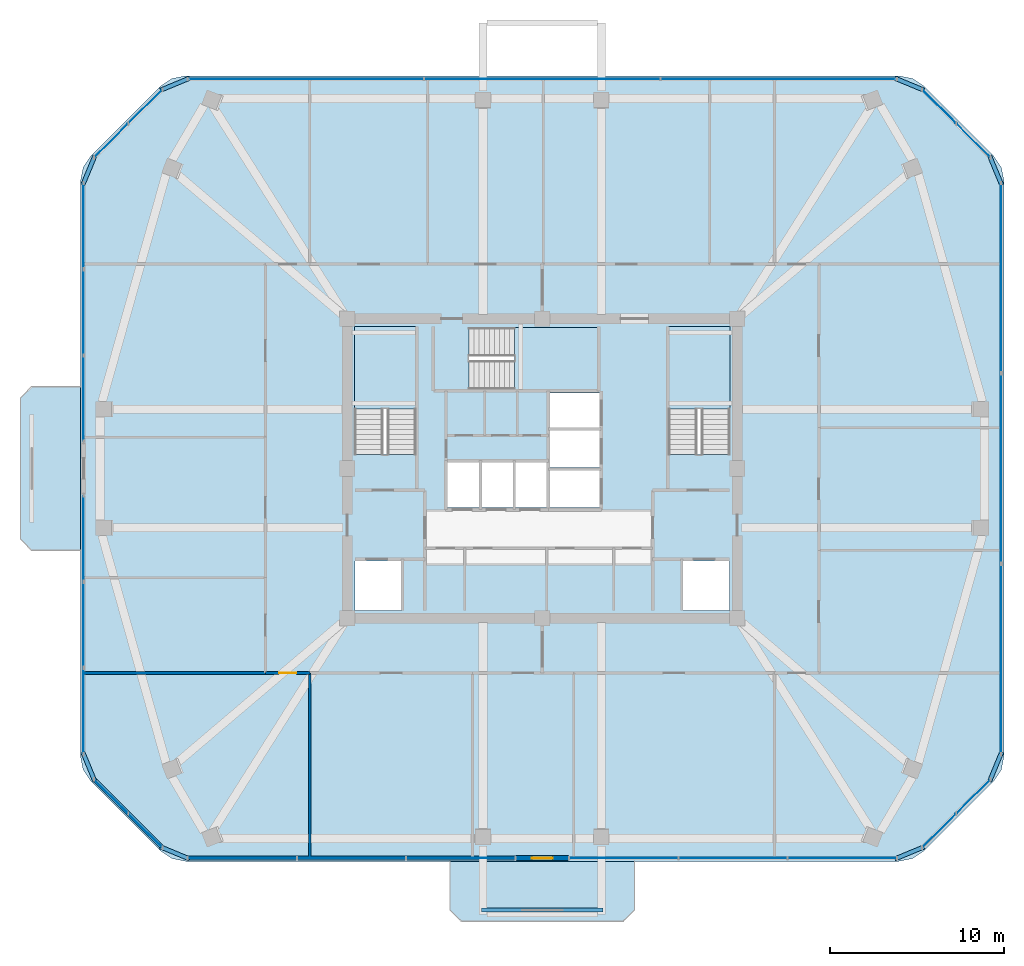
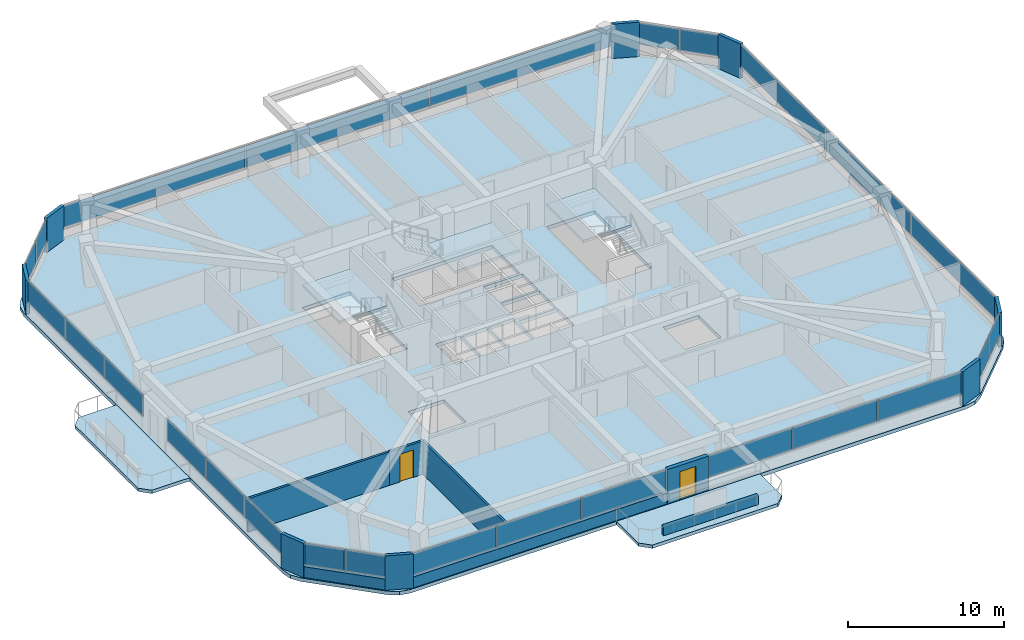
# One storey, part 7 of 13: 34 plates, 7 walls, 6 slabs, 2 doors, 2 openings, 13 elements without a shape of their own.
"""IFC4 building model written with IfcOpenShell, lengths in metres."""

from ifc_helpers import new_model, si_unit, derived_unit, direction, frame, frame_2d, origin, origin_2d, place, context, subcontext, project, spatial, polyline, rectangle, outline, extrude, material, layer, layer_set, type_object, element, fill, aggregate, save


model = new_model("IFC4")

# Units and contexts
model_context = context("Model", 3, precision=1e-05, world=origin(), true_north=direction((0.0, 1.0)))
body_context = subcontext(model_context, "Body", "Model", "MODEL_VIEW")
ifc_project = project(units=[si_unit("LENGTHUNIT", "METRE"), si_unit("AREAUNIT", "SQUARE_METRE"), si_unit("VOLUMEUNIT", "CUBIC_METRE"), si_unit("PLANEANGLEUNIT", "RADIAN"), si_unit("MASSUNIT", "GRAM", prefix="KILO"), derived_unit("THERMALTRANSMITTANCEUNIT", [(si_unit("POWERUNIT", "WATT"), 1), (si_unit("LENGTHUNIT", "METRE"), -2), (si_unit("THERMODYNAMICTEMPERATUREUNIT", "KELVIN"), -1)])], contexts=[model_context])

# Site, building, storey
site_placement = place(None, origin())
site = spatial("IfcSite", under=ifc_project, at=site_placement, CompositionType="ELEMENT")
building_placement = place(site_placement, origin())
building = spatial("IfcBuilding", under=site, at=building_placement, Name="Koralith Skygarden Medical Center", CompositionType="ELEMENT")
storey_placement = place(building_placement, frame((0.0, 0.0, 214.3798828125)))
storey = spatial("IfcBuildingStorey", under=building, at=storey_placement, Name="L55", CompositionType="ELEMENT", Elevation=214.3798828125)

# Curtain wall, plates
ifc_material_1 = material(Name="Clear Laminated Glass", Category="glass")
curtain_wall_type = type_object("IfcCurtainWallType", Name="CW-5 Zone 4 Flare Biophilic Curtain Wall", PredefinedType="NOTDEFINED", material=ifc_material_1)
curtain_wall_1_placement = place(storey_placement, origin())
curtain_wall_1 = element("IfcCurtainWall", 1, at=curtain_wall_1_placement, inside=storey, type_object=curtain_wall_type, Name="Curtain Wall CW-L55-S-L", PredefinedType="NOTDEFINED")
ifc_layer_1 = layer(ifc_material_1, 0.0380859375)
ifc_layer_set_1 = layer_set([ifc_layer_1], Name="Clear Laminated Glass")
plate_type_1 = type_object("IfcPlateType", Name="CW-5 Hurricane Laminated IGU Panel 38", PredefinedType="CURTAIN_PANEL", material=ifc_layer_set_1)
plate_1_placement = place(storey_placement, frame((19.758056640625, 3.510986328125, 0.919921875), z_axis=(0.0, 0.0, 1.0), x_axis=(1.0, 0.0, 0.0)))
plate_1 = element("IfcPlate", 2, at=plate_1_placement, type_object=plate_type_1, Name="CW-L55-S-L Glazed Panel 1", PredefinedType="CURTAIN_PANEL", context=body_context, shape_type="SweptSolid", body=[
    extrude(rectangle(XDim=6.18994140625, YDim=0.0380859375, at=origin_2d()), origin(), (0.0, 0.0, 1.0), 1.699951171875),
])
plate_2_placement = place(storey_placement, frame((26.0380859375, 3.510986328125, 0.919921875), z_axis=(0.0, 0.0, 1.0), x_axis=(1.0, 0.0, 0.0)))
plate_2 = element("IfcPlate", 3, at=plate_2_placement, type_object=plate_type_1, Name="CW-L55-S-L Glazed Panel 2", PredefinedType="CURTAIN_PANEL", context=body_context, shape_type="SweptSolid", body=[
    extrude(rectangle(XDim=6.18994140625, YDim=0.0380859375, at=origin_2d()), origin(), (0.0, 0.0, 1.0), 1.699951171875),
])
plate_3_placement = place(storey_placement, frame((32.319091796875, 3.510986328125, 0.919921875), z_axis=(0.0, 0.0, 1.0), x_axis=(1.0, 0.0, 0.0)))
plate_3 = element("IfcPlate", 4, at=plate_3_placement, type_object=plate_type_1, Name="CW-L55-S-L Glazed Panel 3", PredefinedType="CURTAIN_PANEL", context=body_context, shape_type="SweptSolid", body=[
    extrude(rectangle(XDim=6.18994140625, YDim=0.0380859375, at=origin_2d()), origin(), (0.0, 0.0, 1.0), 1.699951171875),
])
aggregate(curtain_wall_1, [plate_1, plate_2, plate_3])

curtain_wall_2_placement = place(storey_placement, origin())
curtain_wall_2 = element("IfcCurtainWall", 5, at=curtain_wall_2_placement, inside=storey, type_object=curtain_wall_type, Name="Curtain Wall CW-L55-S-R", PredefinedType="NOTDEFINED")
plate_4_placement = place(storey_placement, frame((41.679931640625, 3.510986328125, 0.919921875), z_axis=(0.0, 0.0, 1.0), x_axis=(1.0, 0.0, 0.0)))
plate_4 = element("IfcPlate", 6, at=plate_4_placement, type_object=plate_type_1, Name="CW-L55-S-R Glazed Panel 1", PredefinedType="CURTAIN_PANEL", context=body_context, shape_type="SweptSolid", body=[
    extrude(rectangle(XDim=6.19091796875, YDim=0.0380859375, at=origin_2d()), origin(), (0.0, 0.0, 1.0), 1.699951171875),
])
plate_5_placement = place(storey_placement, frame((47.9599609375, 3.510986328125, 0.919921875), z_axis=(0.0, 0.0, 1.0), x_axis=(1.0, 0.0, 0.0)))
plate_5 = element("IfcPlate", 7, at=plate_5_placement, type_object=plate_type_1, Name="CW-L55-S-R Glazed Panel 2", PredefinedType="CURTAIN_PANEL", context=body_context, shape_type="SweptSolid", body=[
    extrude(rectangle(XDim=6.19091796875, YDim=0.0380859375, at=origin_2d()), origin(), (0.0, 0.0, 1.0), 1.699951171875),
])
plate_6_placement = place(storey_placement, frame((54.241943359375, 3.510986328125, 0.919921875), z_axis=(0.0, 0.0, 1.0), x_axis=(1.0, 0.0, 0.0)))
plate_6 = element("IfcPlate", 8, at=plate_6_placement, type_object=plate_type_1, Name="CW-L55-S-R Glazed Panel 3", PredefinedType="CURTAIN_PANEL", context=body_context, shape_type="SweptSolid", body=[
    extrude(rectangle(XDim=6.19091796875, YDim=0.0380859375, at=origin_2d()), origin(), (0.0, 0.0, 1.0), 1.699951171875),
])
aggregate(curtain_wall_2, [plate_4, plate_5, plate_6])

curtain_wall_3_placement = place(storey_placement, origin())
curtain_wall_3 = element("IfcCurtainWall", 9, at=curtain_wall_3_placement, inside=storey, type_object=curtain_wall_type, Name="Curtain Wall CW-L55-SE", PredefinedType="NOTDEFINED")
plate_7_placement = place(storey_placement, frame((59.81396484375, 5.093994140625, 0.919921875), z_axis=(0.0, 0.0, 1.0), x_axis=(0.707106781187, 0.707106781187, 0.0)))
plate_7 = element("IfcPlate", 10, at=plate_7_placement, type_object=plate_type_1, Name="CW-L55-SE Glazed Panel 1", PredefinedType="CURTAIN_PANEL", context=body_context, shape_type="SweptSolid", body=[
    extrude(rectangle(XDim=2.68408203125, YDim=0.0380859375, at=origin_2d()), origin(), (0.0, 0.0, 1.0), 1.699951171875),
])
plate_8_placement = place(storey_placement, frame((61.77490234375, 7.054931640625, 0.919921875), z_axis=(0.0, 0.0, 1.0), x_axis=(0.707106781187, 0.707106781187, 0.0)))
plate_8 = element("IfcPlate", 11, at=plate_8_placement, type_object=plate_type_1, Name="CW-L55-SE Glazed Panel 2", PredefinedType="CURTAIN_PANEL", context=body_context, shape_type="SweptSolid", body=[
    extrude(rectangle(XDim=2.68408203125, YDim=0.0380859375, at=origin_2d()), origin(), (0.0, 0.0, 1.0), 1.699951171875),
])
aggregate(curtain_wall_3, [plate_7, plate_8])

curtain_wall_4_placement = place(storey_placement, origin())
curtain_wall_4 = element("IfcCurtainWall", 12, at=curtain_wall_4_placement, inside=storey, type_object=curtain_wall_type, Name="Curtain Wall CW-L55-E", PredefinedType="NOTDEFINED")
plate_9_placement = place(storey_placement, frame((63.35693359375, 14.9580078125, 0.919921875), z_axis=(0.0, 0.0, 1.0), x_axis=(0.0, 1.0, 0.0)))
plate_9 = element("IfcPlate", 13, at=plate_9_placement, type_object=plate_type_1, Name="CW-L55-E Glazed Panel 1", PredefinedType="CURTAIN_PANEL", context=body_context, shape_type="SweptSolid", body=[
    extrude(rectangle(XDim=10.85205078125, YDim=0.0380859375, at=origin_2d()), origin(), (0.0, 0.0, 1.0), 1.699951171875),
])
plate_10_placement = place(storey_placement, frame((63.35693359375, 25.89990234375, 0.919921875), z_axis=(0.0, 0.0, 1.0), x_axis=(0.0, 1.0, 0.0)))
plate_10 = element("IfcPlate", 14, at=plate_10_placement, type_object=plate_type_1, Name="CW-L55-E Glazed Panel 2", PredefinedType="CURTAIN_PANEL", context=body_context, shape_type="SweptSolid", body=[
    extrude(rectangle(XDim=10.85205078125, YDim=0.0380859375, at=origin_2d()), origin(), (0.0, 0.0, 1.0), 1.699951171875),
])
plate_11_placement = place(storey_placement, frame((63.35693359375, 36.842041015625, 0.919921875), z_axis=(0.0, 0.0, 1.0), x_axis=(0.0, 1.0, 0.0)))
plate_11 = element("IfcPlate", 15, at=plate_11_placement, type_object=plate_type_1, Name="CW-L55-E Glazed Panel 3", PredefinedType="CURTAIN_PANEL", context=body_context, shape_type="SweptSolid", body=[
    extrude(rectangle(XDim=10.85205078125, YDim=0.0380859375, at=origin_2d()), origin(), (0.0, 0.0, 1.0), 1.699951171875),
])
aggregate(curtain_wall_4, [plate_9, plate_10, plate_11])

curtain_wall_5_placement = place(storey_placement, origin())
curtain_wall_5 = element("IfcCurtainWall", 16, at=curtain_wall_5_placement, inside=storey, type_object=curtain_wall_type, Name="Curtain Wall CW-L55-NE", PredefinedType="NOTDEFINED")
plate_12_placement = place(storey_placement, frame((61.77490234375, 44.7451171875, 0.919921875), z_axis=(0.0, 0.0, 1.0), x_axis=(-0.707106781187, 0.707106781187, 0.0)))
plate_12 = element("IfcPlate", 17, at=plate_12_placement, type_object=plate_type_1, Name="CW-L55-NE Glazed Panel 1", PredefinedType="CURTAIN_PANEL", context=body_context, shape_type="SweptSolid", body=[
    extrude(rectangle(XDim=2.68408203125, YDim=0.0380859375, at=origin_2d()), origin(), (0.0, 0.0, 1.0), 1.699951171875),
])
plate_13_placement = place(storey_placement, frame((59.81396484375, 46.7060546875, 0.919921875), z_axis=(0.0, 0.0, 1.0), x_axis=(-0.707106781187, 0.707106781187, 0.0)))
plate_13 = element("IfcPlate", 18, at=plate_13_placement, type_object=plate_type_1, Name="CW-L55-NE Glazed Panel 2", PredefinedType="CURTAIN_PANEL", context=body_context, shape_type="SweptSolid", body=[
    extrude(rectangle(XDim=2.68408203125, YDim=0.0380859375, at=origin_2d()), origin(), (0.0, 0.0, 1.0), 1.699951171875),
])
aggregate(curtain_wall_5, [plate_12, plate_13])

curtain_wall_6_placement = place(storey_placement, origin())
curtain_wall_6 = element("IfcCurtainWall", 19, at=curtain_wall_6_placement, inside=storey, type_object=curtain_wall_type, Name="Curtain Wall CW-L55-N", PredefinedType="NOTDEFINED")
plate_14_placement = place(storey_placement, frame((50.587890625, 48.2880859375, 0.919921875), z_axis=(0.0, 0.0, 1.0), x_axis=(-1.0, 0.0, 0.0)))
plate_14 = element("IfcPlate", 20, at=plate_14_placement, type_object=plate_type_1, Name="CW-L55-N Glazed Panel 1", PredefinedType="CURTAIN_PANEL", context=body_context, shape_type="SweptSolid", body=[
    extrude(rectangle(XDim=13.498046875, YDim=0.0380859375, at=origin_2d()), origin(), (0.0, 0.0, 1.0), 1.699951171875),
])
plate_15_placement = place(storey_placement, frame((37.0, 48.2880859375, 0.919921875), z_axis=(0.0, 0.0, 1.0), x_axis=(-1.0, 0.0, 0.0)))
plate_15 = element("IfcPlate", 21, at=plate_15_placement, type_object=plate_type_1, Name="CW-L55-N Glazed Panel 2", PredefinedType="CURTAIN_PANEL", context=body_context, shape_type="SweptSolid", body=[
    extrude(rectangle(XDim=13.498046875, YDim=0.0380859375, at=origin_2d()), origin(), (0.0, 0.0, 1.0), 1.699951171875),
])
plate_16_placement = place(storey_placement, frame((23.412109375, 48.2880859375, 0.919921875), z_axis=(0.0, 0.0, 1.0), x_axis=(-1.0, 0.0, 0.0)))
plate_16 = element("IfcPlate", 22, at=plate_16_placement, type_object=plate_type_1, Name="CW-L55-N Glazed Panel 3", PredefinedType="CURTAIN_PANEL", context=body_context, shape_type="SweptSolid", body=[
    extrude(rectangle(XDim=13.498046875, YDim=0.0380859375, at=origin_2d()), origin(), (0.0, 0.0, 1.0), 1.699951171875),
])
aggregate(curtain_wall_6, [plate_14, plate_15, plate_16])

curtain_wall_7_placement = place(storey_placement, origin())
curtain_wall_7 = element("IfcCurtainWall", 23, at=curtain_wall_7_placement, inside=storey, type_object=curtain_wall_type, Name="Curtain Wall CW-L55-NW", PredefinedType="NOTDEFINED")
plate_17_placement = place(storey_placement, frame((14.18603515625, 46.7060546875, 0.919921875), z_axis=(0.0, 0.0, 1.0), x_axis=(-0.707106781187, -0.707106781187, 0.0)))
plate_17 = element("IfcPlate", 24, at=plate_17_placement, type_object=plate_type_1, Name="CW-L55-NW Glazed Panel 1", PredefinedType="CURTAIN_PANEL", context=body_context, shape_type="SweptSolid", body=[
    extrude(rectangle(XDim=2.68408203125, YDim=0.0380859375, at=origin_2d()), origin(), (0.0, 0.0, 1.0), 1.699951171875),
])
plate_18_placement = place(storey_placement, frame((12.22509765625, 44.7451171875, 0.919921875), z_axis=(0.0, 0.0, 1.0), x_axis=(-0.707106781187, -0.707106781187, 0.0)))
plate_18 = element("IfcPlate", 25, at=plate_18_placement, type_object=plate_type_1, Name="CW-L55-NW Glazed Panel 2", PredefinedType="CURTAIN_PANEL", context=body_context, shape_type="SweptSolid", body=[
    extrude(rectangle(XDim=2.68408203125, YDim=0.0380859375, at=origin_2d()), origin(), (0.0, 0.0, 1.0), 1.699951171875),
])
aggregate(curtain_wall_7, [plate_17, plate_18])

curtain_wall_8_placement = place(storey_placement, origin())
curtain_wall_8 = element("IfcCurtainWall", 26, at=curtain_wall_8_placement, inside=storey, type_object=curtain_wall_type, Name="Curtain Wall CW-L55-W-L", PredefinedType="NOTDEFINED")
plate_19_placement = place(storey_placement, frame((10.64306640625, 39.833984375, 0.919921875), z_axis=(0.0, 0.0, 1.0), x_axis=(0.0, -1.0, 0.0)))
plate_19 = element("IfcPlate", 27, at=plate_19_placement, type_object=plate_type_1, Name="CW-L55-W-L Glazed Panel 1", PredefinedType="CURTAIN_PANEL", context=body_context, shape_type="SweptSolid", body=[
    extrude(rectangle(XDim=4.867919921875, YDim=0.0380859375, at=origin_2d()), origin(), (0.0, 0.0, 1.0), 1.699951171875),
])
plate_20_placement = place(storey_placement, frame((10.64306640625, 34.876953125, 0.919921875), z_axis=(0.0, 0.0, 1.0), x_axis=(0.0, -1.0, 0.0)))
plate_20 = element("IfcPlate", 28, at=plate_20_placement, type_object=plate_type_1, Name="CW-L55-W-L Glazed Panel 2", PredefinedType="CURTAIN_PANEL", context=body_context, shape_type="SweptSolid", body=[
    extrude(rectangle(XDim=4.867919921875, YDim=0.0380859375, at=origin_2d()), origin(), (0.0, 0.0, 1.0), 1.699951171875),
])
plate_21_placement = place(storey_placement, frame((10.64306640625, 29.9189453125, 0.919921875), z_axis=(0.0, 0.0, 1.0), x_axis=(0.0, -1.0, 0.0)))
plate_21 = element("IfcPlate", 29, at=plate_21_placement, type_object=plate_type_1, Name="CW-L55-W-L Glazed Panel 3", PredefinedType="CURTAIN_PANEL", context=body_context, shape_type="SweptSolid", body=[
    extrude(rectangle(XDim=4.867919921875, YDim=0.0380859375, at=origin_2d()), origin(), (0.0, 0.0, 1.0), 1.699951171875),
])
aggregate(curtain_wall_8, [plate_19, plate_20, plate_21])

curtain_wall_9_placement = place(storey_placement, origin())
curtain_wall_9 = element("IfcCurtainWall", 30, at=curtain_wall_9_placement, inside=storey, type_object=curtain_wall_type, Name="Curtain Wall CW-L55-W-R", PredefinedType="NOTDEFINED")
plate_22_placement = place(storey_placement, frame((10.64306640625, 21.881103515625, 0.919921875), z_axis=(0.0, 0.0, 1.0), x_axis=(0.0, -1.0, 0.0)))
plate_22 = element("IfcPlate", 31, at=plate_22_placement, type_object=plate_type_1, Name="CW-L55-W-R Glazed Panel 1", PredefinedType="CURTAIN_PANEL", context=body_context, shape_type="SweptSolid", body=[
    extrude(rectangle(XDim=4.867919921875, YDim=0.0380859375, at=origin_2d()), origin(), (0.0, 0.0, 1.0), 1.699951171875),
])
plate_23_placement = place(storey_placement, frame((10.64306640625, 16.924072265625, 0.919921875), z_axis=(0.0, 0.0, 1.0), x_axis=(0.0, -1.0, 0.0)))
plate_23 = element("IfcPlate", 32, at=plate_23_placement, type_object=plate_type_1, Name="CW-L55-W-R Glazed Panel 2", PredefinedType="CURTAIN_PANEL", context=body_context, shape_type="SweptSolid", body=[
    extrude(rectangle(XDim=4.867919921875, YDim=0.0380859375, at=origin_2d()), origin(), (0.0, 0.0, 1.0), 1.699951171875),
])
plate_24_placement = place(storey_placement, frame((10.64306640625, 11.966064453125, 0.919921875), z_axis=(0.0, 0.0, 1.0), x_axis=(0.0, -1.0, 0.0)))
plate_24 = element("IfcPlate", 33, at=plate_24_placement, type_object=plate_type_1, Name="CW-L55-W-R Glazed Panel 3", PredefinedType="CURTAIN_PANEL", context=body_context, shape_type="SweptSolid", body=[
    extrude(rectangle(XDim=4.867919921875, YDim=0.0380859375, at=origin_2d()), origin(), (0.0, 0.0, 1.0), 1.699951171875),
])
aggregate(curtain_wall_9, [plate_22, plate_23, plate_24])

curtain_wall_10_placement = place(storey_placement, origin())
curtain_wall_10 = element("IfcCurtainWall", 34, at=curtain_wall_10_placement, inside=storey, type_object=curtain_wall_type, Name="Curtain Wall CW-L55-SW", PredefinedType="NOTDEFINED")
plate_25_placement = place(storey_placement, frame((12.22509765625, 7.054931640625, 0.919921875), z_axis=(0.0, 0.0, 1.0), x_axis=(0.707106781187, -0.707106781187, 0.0)))
plate_25 = element("IfcPlate", 35, at=plate_25_placement, type_object=plate_type_1, Name="CW-L55-SW Glazed Panel 1", PredefinedType="CURTAIN_PANEL", context=body_context, shape_type="SweptSolid", body=[
    extrude(rectangle(XDim=2.68408203125, YDim=0.0380859375, at=origin_2d()), origin(), (0.0, 0.0, 1.0), 1.699951171875),
])
plate_26_placement = place(storey_placement, frame((14.18603515625, 5.093994140625, 0.919921875), z_axis=(0.0, 0.0, 1.0), x_axis=(0.707106781187, -0.707106781187, 0.0)))
plate_26 = element("IfcPlate", 36, at=plate_26_placement, type_object=plate_type_1, Name="CW-L55-SW Glazed Panel 2", PredefinedType="CURTAIN_PANEL", context=body_context, shape_type="SweptSolid", body=[
    extrude(rectangle(XDim=2.68408203125, YDim=0.0380859375, at=origin_2d()), origin(), (0.0, 0.0, 1.0), 1.699951171875),
])
aggregate(curtain_wall_10, [plate_25, plate_26])

# Slabs
ifc_material_2 = material(Name="Concrete C45/55", Category="concrete")
ifc_layer_2 = layer(ifc_material_2, 0.260009765625)
ifc_layer_set_2 = layer_set([ifc_layer_2], Name="Concrete C45/55")
slab_type_1 = type_object("IfcSlabType", Name="Cantilevered Planted Balcony Slab 260", PredefinedType="FLOOR", material=ifc_layer_set_2)
slab_1_placement = place(storey_placement, frame((0.0, 0.0, -0.259765625)))
element("IfcSlab", 37, at=slab_1_placement, inside=storey, type_object=slab_type_1, Name="L55 S Planted Sky-Garden Balcony Slab", PredefinedType="FLOOR", context=body_context, shape_type="SweptSolid", body=[
    extrude(outline(polyline([(32.35009765625, -0.118896484375), (41.64990234375, -0.118896484375), (42.300048828125, 0.531005859375), (42.300048828125, 3.3310546875), (31.699951171875, 3.3310546875), (31.699951171875, 0.531005859375), (32.35009765625, -0.118896484375)])), origin(), (0.0, 0.0, 1.0), 0.259765625),
])
slab_2_placement = place(storey_placement, frame((0.0, 0.0, -0.259765625)))
element("IfcSlab", 38, at=slab_2_placement, inside=storey, type_object=slab_type_1, Name="L55 W Planted Sky-Garden Balcony Slab", PredefinedType="FLOOR", context=body_context, shape_type="SweptSolid", body=[
    extrude(outline(polyline([(7.6630859375, 21.199951171875), (10.462890625, 21.199951171875), (10.462890625, 30.60009765625), (7.6630859375, 30.60009765625), (7.012939453125, 29.949951171875), (7.012939453125, 21.85009765625), (7.6630859375, 21.199951171875)])), origin(), (0.0, 0.0, 1.0), 0.259765625),
])

# Stair, slab
stair_type = type_object("IfcStairType", Name="Core Exit Dogleg Concrete Stair", PredefinedType="HALF_TURN_STAIR", material=ifc_material_2)
stair_1_placement = place(storey_placement, origin())
stair_1 = element("IfcStair", 39, at=stair_1_placement, inside=storey, type_object=stair_type, Name="L55 Smokeproof Exit Stair ST1", PredefinedType="HALF_TURN_STAIR")
ifc_layer_3 = layer(ifc_material_2, 0.199951171875)
ifc_layer_set_3 = layer_set([ifc_layer_3], Name="Concrete C45/55")
slab_type_2 = type_object("IfcSlabType", Name="Core Exit Concrete Stair Landing 200", PredefinedType="LANDING", material=ifc_layer_set_3)
slab_3_placement = place(storey_placement, frame((0.0, 0.0, 1.60009765625)))
slab_3 = element("IfcSlab", 40, at=slab_3_placement, type_object=slab_type_2, Name="ST1 landing 1", PredefinedType="LANDING", context=body_context, shape_type="SweptSolid", body=[
    extrude(outline(polyline([(29.75, 29.31005859375), (29.75, 34.050048828125), (26.199951171875, 34.050048828125), (26.199951171875, 29.31005859375), (29.75, 29.31005859375)])), origin(), (0.0, 0.0, 1.0), 0.199951171875),
])
aggregate(stair_1, [slab_3])

stair_2_placement = place(storey_placement, origin())
stair_2 = element("IfcStair", 41, at=stair_2_placement, inside=storey, type_object=stair_type, Name="L55 Smokeproof Exit Stair ST2", PredefinedType="HALF_TURN_STAIR")
slab_4_placement = place(storey_placement, frame((0.0, 0.0, 1.60009765625)))
slab_4 = element("IfcSlab", 42, at=slab_4_placement, type_object=slab_type_2, Name="ST2 landing 1", PredefinedType="LANDING", context=body_context, shape_type="SweptSolid", body=[
    extrude(outline(polyline([(47.800048828125, 29.31005859375), (47.800048828125, 34.050048828125), (44.25, 34.050048828125), (44.25, 29.31005859375), (47.800048828125, 29.31005859375)])), origin(), (0.0, 0.0, 1.0), 0.199951171875),
])
aggregate(stair_2, [slab_4])

stair_3_placement = place(storey_placement, origin())
stair_3 = element("IfcStair", 43, at=stair_3_placement, inside=storey, type_object=stair_type, Name="L55 Smokeproof Exit Stair ST3", PredefinedType="HALF_TURN_STAIR")
slab_5_placement = place(storey_placement, frame((0.0, 0.0, 1.60009765625)))
slab_5 = element("IfcSlab", 44, at=slab_5_placement, type_object=slab_type_2, Name="ST3 landing 1", PredefinedType="LANDING", context=body_context, shape_type="SweptSolid", body=[
    extrude(outline(polyline([(35.409912109375, 30.449951171875), (40.199951171875, 30.449951171875), (40.199951171875, 34.0), (35.409912109375, 34.0), (35.409912109375, 30.449951171875)])), origin(), (0.0, 0.0, 1.0), 0.199951171875),
])
aggregate(stair_3, [slab_5])

# Slab
ifc_layer_4 = layer(ifc_material_2, 0.280029296875)
ifc_layer_set_4 = layer_set([ifc_layer_4], Name="Concrete C45/55")
slab_type_3 = type_object("IfcSlabType", Name="Post-Tensioned Ward Floor Plate 280", PredefinedType="FLOOR", material=ifc_layer_set_4)
slab_6_placement = place(storey_placement, frame((0.0, 0.0, -0.27978515625)))
element("IfcSlab", 45, at=slab_6_placement, inside=storey, type_object=slab_type_3, Name="Level L55 Structural Floor Slab", PredefinedType="FLOOR", context=body_context, shape_type="SweptSolid", body=[
    extrude(outline(polyline([(15.076904296875, 3.9169921875), (15.72607421875, 3.48388671875), (16.490966796875, 3.3310546875), (57.509033203125, 3.3310546875), (58.27392578125, 3.48388671875), (58.923095703125, 3.9169921875), (62.950927734375, 7.946044921875), (63.385009765625, 8.594970703125), (63.537109375, 9.360107421875), (63.537109375, 42.43994140625), (63.385009765625, 43.205078125), (62.950927734375, 43.85400390625), (58.923095703125, 47.883056640625), (58.27392578125, 48.31591796875), (57.509033203125, 48.468017578125), (16.490966796875, 48.468017578125), (15.72607421875, 48.31591796875), (15.076904296875, 47.883056640625), (11.049072265625, 43.85400390625), (10.614990234375, 43.205078125), (10.462890625, 42.43994140625), (10.462890625, 9.360107421875), (10.614990234375, 8.594970703125), (11.049072265625, 7.946044921875), (15.076904296875, 3.9169921875)]), holes=[polyline([(26.199951171875, 26.705078125), (29.75, 26.705078125), (29.75, 34.050048828125), (26.199951171875, 34.050048828125), (26.199951171875, 26.705078125)]), polyline([(44.25, 26.705078125), (47.800048828125, 26.705078125), (47.800048828125, 34.050048828125), (44.25, 34.050048828125), (44.25, 26.705078125)]), polyline([(32.804931640625, 30.449951171875), (40.199951171875, 30.449951171875), (40.199951171875, 34.0), (32.804931640625, 34.0), (32.804931640625, 30.449951171875)]), polyline([(26.25, 17.75), (28.89990234375, 17.75), (28.89990234375, 20.60009765625), (26.25, 20.60009765625), (26.25, 17.75)]), polyline([(45.10009765625, 17.75), (47.75, 17.75), (47.75, 20.60009765625), (45.10009765625, 20.60009765625), (45.10009765625, 17.75)]), polyline([(31.550048828125, 23.64990234375), (33.39990234375, 23.64990234375), (33.39990234375, 26.25), (31.550048828125, 26.25), (31.550048828125, 23.64990234375)]), polyline([(33.5, 23.64990234375), (35.35009765625, 23.64990234375), (35.35009765625, 26.25), (33.5, 26.25), (33.5, 23.64990234375)]), polyline([(35.449951171875, 23.64990234375), (37.300048828125, 23.64990234375), (37.300048828125, 26.25), (35.449951171875, 26.25), (35.449951171875, 23.64990234375)]), polyline([(37.449951171875, 23.64990234375), (40.300048828125, 23.64990234375), (40.300048828125, 25.800048828125), (37.449951171875, 25.800048828125), (37.449951171875, 23.64990234375)]), polyline([(37.449951171875, 25.949951171875), (40.300048828125, 25.949951171875), (40.300048828125, 28.10009765625), (37.449951171875, 28.10009765625), (37.449951171875, 25.949951171875)]), polyline([(37.449951171875, 28.25), (40.300048828125, 28.25), (40.300048828125, 30.25), (37.449951171875, 30.25), (37.449951171875, 28.25)])]), origin(), (0.0, 0.0, 1.0), 0.27978515625),
])

# Plates
ifc_material_3 = material(Name="Warm Oolitic Limestone Cladding", Category="masonry")
ifc_layer_5 = layer(ifc_material_3, 0.239990234375)
ifc_layer_set_5 = layer_set([ifc_layer_5], Name="Warm Oolitic Limestone Cladding")
plate_type_2 = type_object("IfcPlateType", Name="Rounded-Corner Oolitic Limestone Cladding Panel 240", PredefinedType="USERDEFINED", material=ifc_layer_set_5)
for number, where, z_axis, x_axis, name in (
    (46, (58.10791015625, 3.81201171875, 0.000244140625), (0.0, 0.0, 1.0), (0.923659638286, 0.383213873184, 0.0), "L55 Rounded-Corner Limestone Pier 1"),
    (47, (63.055908203125, 8.760986328125, 0.000244140625), (0.0, 0.0, 1.0), (0.382670532536, 0.92388487569, 0.0), "L55 Rounded-Corner Limestone Pier 2"),
    (48, (63.055908203125, 43.0380859375, 0.000244140625), (0.0, 0.0, 1.0), (-0.382670532536, 0.92388487569, 0.0), "L55 Rounded-Corner Limestone Pier 3"),
    (49, (58.10791015625, 47.987060546875, 0.000244140625), (0.0, 0.0, 1.0), (-0.92388487569, 0.382670532536, 0.0), "L55 Rounded-Corner Limestone Pier 4"),
    (50, (15.89208984375, 47.987060546875, 0.000244140625), (0.0, 0.0, 1.0), (-0.92388487569, -0.382670532536, 0.0), "L55 Rounded-Corner Limestone Pier 5"),
    (51, (10.944091796875, 43.0380859375, 0.000244140625), (0.0, 0.0, 1.0), (-0.382670532536, -0.92388487569, 0.0), "L55 Rounded-Corner Limestone Pier 6"),
    (52, (10.944091796875, 8.760986328125, 0.000244140625), (0.0, 0.0, 1.0), (0.382670532536, -0.92388487569, 0.0), "L55 Rounded-Corner Limestone Pier 7"),
    (53, (15.89208984375, 3.81201171875, 0.000244140625), (0.0, 0.0, 1.0), (0.923659638286, -0.383213873184, 0.0), "L55 Rounded-Corner Limestone Pier 8"),
):
    element("IfcPlate", number, at=place(storey_placement, frame(where, z_axis=z_axis, x_axis=x_axis)), inside=storey, type_object=plate_type_2, Name=name, ObjectType="LIMESTONE CLADDING", PredefinedType="USERDEFINED", context=body_context, shape_type="SweptSolid", body=[
        extrude(rectangle(XDim=1.81103515625, YDim=0.239990234375, at=origin_2d()), origin(), (0.0, 0.0, 1.0), 2.68994140625),
    ])

# Walls
ifc_material_4 = material(Name="Gypsum Board Partition")
ifc_layer_6 = layer(ifc_material_4, 0.14990234375)
ifc_layer_set_6 = layer_set([ifc_layer_6], Name="Gypsum Board Partition")
wall_type_1 = type_object("IfcWallType", Name="Clinical Acoustic Partition 150", PredefinedType="PARTITIONING", material=ifc_layer_set_6)
wall_1_placement = place(storey_placement, frame((23.64990234375, 14.14990234375, 0.0), z_axis=(0.0, 0.0, 1.0), x_axis=(0.0, -1.0, 0.0)))
element("IfcWall", 54, at=wall_1_placement, inside=storey, type_object=wall_type_1, Name="L55 Clinical Acoustic Partition 150 W-PART-L55-S-01", PredefinedType="PARTITIONING", context=body_context, shape_type="SweptSolid", body=[
    extrude(rectangle(XDim=10.618896484375, YDim=0.14990234375, at=frame_2d((5.3095703125, 0.0))), origin(), (0.0, 0.0, 1.0), 2.610107421875),
])
ifc_layer_7 = layer(ifc_material_4, 0.1650390625)
ifc_layer_set_7 = layer_set([ifc_layer_7], Name="Gypsum Board Partition")
wall_type_2 = type_object("IfcWallType", Name="Clinical Corridor Partition 165", PredefinedType="PARTITIONING", material=ifc_layer_set_7)
wall_2_placement = place(storey_placement, frame((10.6630859375, 14.14990234375, 0.0), z_axis=(0.0, 0.0, 1.0), x_axis=(1.0, 0.0, 0.0)))
element("IfcWall", 55, at=wall_2_placement, inside=storey, type_object=wall_type_2, Name="L55 Clinical Corridor Partition 165 W-WB-L55-SW", PredefinedType="PARTITIONING", context=body_context, shape_type="SweptSolid", body=[
    extrude(rectangle(XDim=10.43701171875, YDim=0.1650390625, at=frame_2d((5.218505859375, 0.0))), origin(), (0.0, 0.0, 1.0), 2.610107421875),
])

# Wall, opening, door
wall_3_placement = place(storey_placement, frame((21.10009765625, 14.14990234375, 0.0), z_axis=(0.0, 0.0, 1.0), x_axis=(1.0, 0.0, 0.0)))
wall_3 = element("IfcWall", 56, at=wall_3_placement, inside=storey, type_object=wall_type_2, Name="L55 Clinical Corridor Partition 165 W-CORR-L55-S-01", PredefinedType="PARTITIONING", context=body_context, shape_type="SweptSolid", body=[
    extrude(rectangle(XDim=2.5498046875, YDim=0.1650390625, at=frame_2d((1.27490234375, 0.0))), origin(), (0.0, 0.0, 1.0), 2.610107421875),
])
opening_1_placement = place(wall_3_placement, frame((0.77490234375, 0.0, 0.0)))
opening_1 = element("IfcOpeningElement", 57, at=opening_1_placement, cuts=wall_3, Name="Opening D-SUP", PredefinedType="OPENING", context=body_context, shape_type="SweptSolid", body=[
    extrude(rectangle(XDim=1.0, YDim=2.14990234375, at=frame_2d((0.5, 1.074951171875))), frame((0.0, 0.092529296875, 0.0), z_axis=(0.0, -1.0, 0.0), x_axis=(1.0, 0.0, 0.0)), (0.0, 0.0, 1.0), 0.18505859375),
])
ifc_material_5 = material(Name="Aluminium 6063-T6", Category="aluminium")
door_type_1 = type_object("IfcDoorType", Name="Clinical Support Door D-SUP 1000", OperationType="NOTDEFINED", PredefinedType="DOOR", material=ifc_material_5)
door_1_placement = place(opening_1_placement, frame((1.0, 0.0, 0.0), z_axis=(0.0, 0.0, 1.0), x_axis=(-1.0, 0.0, 0.0)))
door_1 = element("IfcDoor", 58, at=door_1_placement, inside=storey, type_object=door_type_1, Name="L55 Hepatology Exam Room 07 Door", OperationType="SINGLE_SWING_RIGHT", OverallHeight=2.14990234375, OverallWidth=1.0, PredefinedType="DOOR", context=body_context, shape_type="SweptSolid", body=[
    extrude(rectangle(XDim=1.0, YDim=2.14990234375, at=frame_2d((0.5, 1.074951171875))), frame((0.0, 0.02490234375, 0.0), z_axis=(0.0, -1.0, 0.0), x_axis=(1.0, 0.0, 0.0)), (0.0, 0.0, 1.0), 0.050048828125),
])
fill(opening_1, door_1)

# Walls
ifc_layer_8 = layer(ifc_material_3, 0.239990234375)
ifc_layer_set_8 = layer_set([ifc_layer_8], Name="Warm Oolitic Limestone Cladding")
wall_type_3 = type_object("IfcWallType", Name="Limestone Spandrel Sill Backup Wall 240", PredefinedType="SOLIDWALL", material=ifc_layer_set_8)
wall_4_placement = place(storey_placement, frame((16.617919921875, 3.510986328125, 0.0), z_axis=(0.0, 0.0, 1.0), x_axis=(1.0, 0.0, 0.0)))
element("IfcWall", 59, at=wall_4_placement, inside=storey, type_object=wall_type_3, Name="L55 Sill Spandrel S-L", PredefinedType="SOLIDWALL", context=body_context, shape_type="SweptSolid", body=[
    extrude(rectangle(XDim=18.841064453125, YDim=0.239990234375, at=frame_2d((9.42041015625, 0.0))), origin(), (0.0, 0.0, 1.0), 0.85009765625),
])
wall_5_placement = place(storey_placement, frame((11.243896484375, 8.035888671875, 0.0), z_axis=(0.0, 0.0, 1.0), x_axis=(0.707128783731, -0.707084777957, 0.0)))
element("IfcWall", 60, at=wall_5_placement, inside=storey, type_object=wall_type_3, Name="L55 Sill Spandrel SW", PredefinedType="SOLIDWALL", context=body_context, shape_type="SweptSolid", body=[
    extrude(rectangle(XDim=5.5478515625, YDim=0.239990234375, at=frame_2d((2.77392578125, 0.0))), origin(), (0.0, 0.0, 1.0), 0.85009765625),
])

# Wall, opening, door
ifc_layer_9 = layer(ifc_material_3, 0.300048828125)
ifc_layer_set_9 = layer_set([ifc_layer_9], Name="Warm Oolitic Limestone Cladding")
wall_type_4 = type_object("IfcWallType", Name="Oolitic Limestone Insulated Facade Wall 300", PredefinedType="SOLIDWALL", material=ifc_layer_set_9)
wall_6_placement = place(storey_placement, frame((35.4990234375, 3.510986328125, 0.0), z_axis=(0.0, 0.0, 1.0), x_axis=(1.0, 0.0, 0.0)))
wall_6 = element("IfcWall", 61, at=wall_6_placement, inside=storey, type_object=wall_type_4, Name="L55 Terrace Portal Wall S", PredefinedType="SOLIDWALL", context=body_context, shape_type="SweptSolid", body=[
    extrude(rectangle(XDim=3.0, YDim=0.300048828125, at=frame_2d((1.5, 0.0))), origin(), (0.0, 0.0, 1.0), 2.690185546875),
])
opening_2_placement = place(wall_6_placement, frame((0.89990234375, 0.0, 0.0)))
opening_2 = element("IfcOpeningElement", 62, at=opening_2_placement, cuts=wall_6, Name="Opening D-BAL", PredefinedType="OPENING", context=body_context, shape_type="SweptSolid", body=[
    extrude(rectangle(XDim=1.199951171875, YDim=2.199951171875, at=frame_2d((0.60009765625, 1.10009765625))), frame((0.0, 0.159912109375, 0.0), z_axis=(0.0, -1.0, 0.0), x_axis=(1.0, 0.0, 0.0)), (0.0, 0.0, 1.0), 0.320068359375),
])
door_type_2 = type_object("IfcDoorType", Name="Planted Balcony Glazed Terrace Door D-BAL 1200", OperationType="NOTDEFINED", PredefinedType="DOOR", material=ifc_material_5)
door_2_placement = place(opening_2_placement, origin())
door_2 = element("IfcDoor", 63, at=door_2_placement, inside=storey, type_object=door_type_2, Name="L55 S Outdoor Terrace Access Door", OperationType="SINGLE_SWING_RIGHT", OverallHeight=2.199951171875, OverallWidth=1.199951171875, PredefinedType="DOOR", context=body_context, shape_type="SweptSolid", body=[
    extrude(rectangle(XDim=1.199951171875, YDim=2.199951171875, at=frame_2d((0.60009765625, 1.10009765625))), frame((0.0, 0.02490234375, 0.0), z_axis=(0.0, -1.0, 0.0), x_axis=(1.0, 0.0, 0.0)), (0.0, 0.0, 1.0), 0.050048828125),
])
fill(opening_2, door_2)

# Wall
ifc_material_6 = material(Name="Precast concrete C40/50", Category="concrete")
ifc_layer_10 = layer(ifc_material_6, 0.25)
ifc_layer_set_10 = layer_set([ifc_layer_10], Name="Precast concrete C40/50")
wall_type_5 = type_object("IfcWallType", Name="Structural Concrete Balcony Planter Kerb 250", PredefinedType="PARAPET", material=ifc_layer_set_10)
wall_7_placement = place(storey_placement, frame((33.5, 0.531005859375, 0.0), z_axis=(0.0, 0.0, 1.0), x_axis=(1.0, 0.0, 0.0)))
element("IfcWall", 64, at=wall_7_placement, inside=storey, type_object=wall_type_5, Name="L55 S Structural Tree PLANTER Box", PredefinedType="PARAPET", context=body_context, shape_type="SweptSolid", body=[
    extrude(rectangle(XDim=7.0, YDim=0.25, at=frame_2d((3.5, 0.0))), origin(), (0.0, 0.0, 1.0), 0.72021484375),
])

save(model, "model.ifc")
